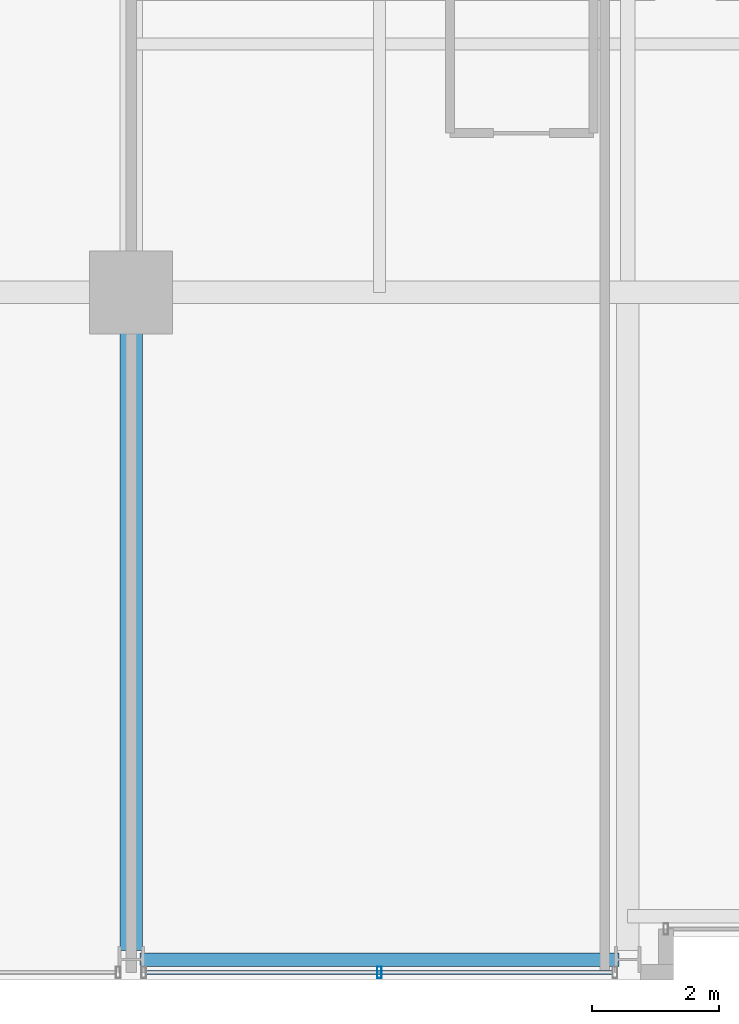
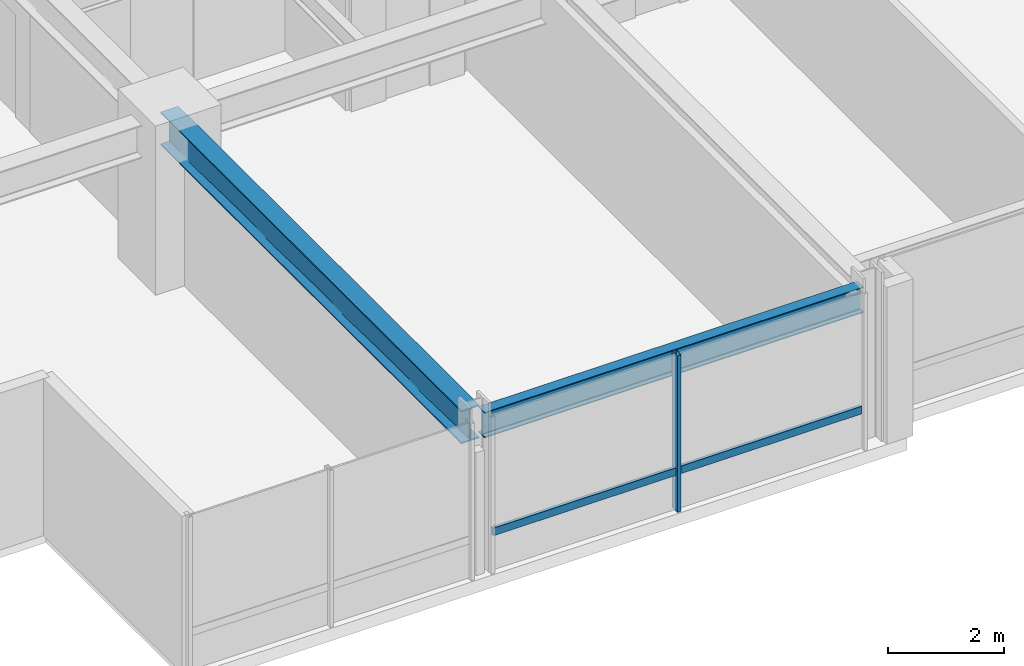
# One storey, part 3 of 33: 2 beams, 2 members, 1 element without a shape of its own.
"""IFC4 building model written with IfcOpenShell, lengths in metres."""

from ifc_helpers import new_model, si_unit, direction, frame, origin, origin_2d, place, context, subcontext, project, spatial, hollow_rectangle, i_section, extrude, material, layer, layer_set, material_profile, profile_set, type_object, element, aggregate, save


model = new_model("IFC4")

# Units and contexts
model_context = context("Model", 3, precision=1e-05, world=origin(), true_north=direction((0.0, 1.0)))
body_context = subcontext(model_context, "Body", "Model", "MODEL_VIEW")
ifc_project = project(units=[si_unit("LENGTHUNIT", "METRE"), si_unit("AREAUNIT", "SQUARE_METRE"), si_unit("VOLUMEUNIT", "CUBIC_METRE"), si_unit("PLANEANGLEUNIT", "RADIAN"), si_unit("MASSUNIT", "GRAM", prefix="KILO")], contexts=[model_context])

# Site, building, storey
site_placement = place(None, origin())
site = spatial("IfcSite", under=ifc_project, at=site_placement, CompositionType="ELEMENT")
building_placement = place(site_placement, origin())
building = spatial("IfcBuilding", under=site, at=building_placement, Name="Drelvath Grand Hotel", CompositionType="ELEMENT")
storey_placement = place(building_placement, frame((0.0, 0.0, 171.699951171875)))
storey = spatial("IfcBuildingStorey", under=building, at=storey_placement, Name="L44", CompositionType="ELEMENT", Elevation=171.699951171875)

# Curtain wall, members
ifc_material_1 = material(Name="Brushed Pale-Silver Anodised Aluminium Frame", Category="aluminium")
ifc_layer = layer(ifc_material_1, 0.199951171875)
ifc_layer_set = layer_set([ifc_layer], Name="Brushed Pale-Silver Anodised Aluminium Frame")
curtain_wall_type = type_object("IfcCurtainWallType", Name="Stick Curtain Wall CW-04 Brushed Silver Upper-Mid", PredefinedType="NOTDEFINED", material=ifc_layer_set)
curtain_wall_placement = place(storey_placement, origin())
curtain_wall = element("IfcCurtainWall", 1, at=curtain_wall_placement, inside=storey, type_object=curtain_wall_type, Name="L44 CW-04 Curtain Wall CW04-L44-SW2", PredefinedType="NOTDEFINED")
ifc_material_profile_1 = material_profile(ifc_material_1, hollow_rectangle(XDim=0.06494140625, YDim=0.159912109375, WallThickness=0.00390625, at=origin_2d()), Name="HSS160X65X4")
ifc_profile_set_1 = profile_set([ifc_material_profile_1], Name="Brushed Pale-Silver Anodised Aluminium Frame")
member_type_1 = type_object("IfcMemberType", Name="Curtain Wall Horizontal Transom CW-04 HSS160X65X4", PredefinedType="USERDEFINED", material=ifc_profile_set_1)
member_1_placement = place(storey_placement, frame((-8.64013671875, 0.1201171875, 0.822509765625), z_axis=(-1.0, 0.0, 0.0), x_axis=(0.0, -1.0, 0.0)))
member_1 = element("IfcMember", 2, at=member_1_placement, type_object=member_type_1, Name="CW04-L44-SW2 Sill Transom", ObjectType="TRANSOM", PredefinedType="USERDEFINED", context=body_context, shape_type="SweptSolid", body=[
    extrude(hollow_rectangle(XDim=0.06494140625, YDim=0.159912109375, WallThickness=0.00390625, at=origin_2d()), origin(), (0.0, 0.0, 1.0), 7.31982421875),
])
ifc_material_profile_2 = material_profile(ifc_material_1, hollow_rectangle(XDim=0.074951171875, YDim=0.179931640625, WallThickness=0.0048828125, at=origin_2d()), Name="HSS180X75X5")
ifc_profile_set_2 = profile_set([ifc_material_profile_2], Name="Brushed Pale-Silver Anodised Aluminium Frame")
member_type_2 = type_object("IfcMemberType", Name="Curtain Wall Vertical Mullion CW-04 HSS180X75X5", PredefinedType="MULLION", material=ifc_profile_set_2)
member_2_placement = place(storey_placement, frame((-12.300048828125, 0.1201171875, 0.0), z_axis=(0.0, 0.0, 1.0), x_axis=(1.0, 0.0, 0.0)))
member_2 = element("IfcMember", 3, at=member_2_placement, type_object=member_type_2, Name="CW04-L44-SW2 Mullion 2", PredefinedType="MULLION", context=body_context, shape_type="SweptSolid", body=[
    extrude(hollow_rectangle(XDim=0.074951171875, YDim=0.179931640625, WallThickness=0.0048828125, at=origin_2d()), origin(), (0.0, 0.0, 1.0), 3.2900390625),
])
aggregate(curtain_wall, [member_2, member_1])

# Beams
ifc_material_2 = material(Name="Steel ASTM A992 Gr 50", Category="steel")
ifc_material_profile_3 = material_profile(ifc_material_2, i_section(OverallWidth=0.210205078125, OverallDepth=0.53662109375, WebThickness=0.010986328125, FlangeThickness=0.017333984375, FilletRadius=0.01806640625, at=origin_2d()), Name="W21X68")
ifc_profile_set_3 = profile_set([ifc_material_profile_3], Name="Steel ASTM A992 Gr 50")
beam_type_1 = type_object("IfcBeamType", Name="Perimeter Spandrel Beam W21X68", PredefinedType="SPANDREL", material=ifc_profile_set_3)
beam_1_placement = place(storey_placement, frame((-16.06005859375, 0.320068359375, 3.021728515625), z_axis=(1.0, 0.0, 0.0), x_axis=(0.0, 1.0, 0.0)))
element("IfcBeam", 4, at=beam_1_placement, inside=storey, type_object=beam_type_1, Name="L44 Spandrel South W", PredefinedType="SPANDREL", context=body_context, shape_type="SweptSolid", body=[
    extrude(i_section(OverallWidth=0.210205078125, OverallDepth=0.53662109375, WebThickness=0.010986328125, FlangeThickness=0.017333984375, FilletRadius=0.01806640625, at=origin_2d()), origin(), (0.0, 0.0, 1.0), 7.52001953125),
])
ifc_material_profile_4 = material_profile(ifc_material_2, i_section(OverallWidth=0.354736328125, OverallDepth=0.695556640625, WebThickness=0.015380859375, FlangeThickness=0.025146484375, FilletRadius=0.02392578125, at=origin_2d()), Name="W27X146")
ifc_profile_set_4 = profile_set([ifc_material_profile_4], Name="Steel ASTM A992 Gr 50")
beam_type_2 = type_object("IfcBeamType", Name="Primary Floor Girder W27X146", PredefinedType="BEAM", material=ifc_profile_set_4)
beam_2_placement = place(storey_placement, frame((-16.199951171875, 0.4599609375, 2.9423828125), z_axis=(0.0, 1.0, 0.0), x_axis=(-1.0, 0.0, 0.0)))
element("IfcBeam", 5, at=beam_2_placement, inside=storey, type_object=beam_type_2, Name="L44 South Grid Girder 3", PredefinedType="BEAM", context=body_context, shape_type="SweptSolid", body=[
    extrude(i_section(OverallWidth=0.354736328125, OverallDepth=0.695556640625, WebThickness=0.015380859375, FlangeThickness=0.025146484375, FilletRadius=0.02392578125, at=origin_2d()), origin(), (0.0, 0.0, 1.0), 10.340087890625),
])

save(model, "model.ifc")
